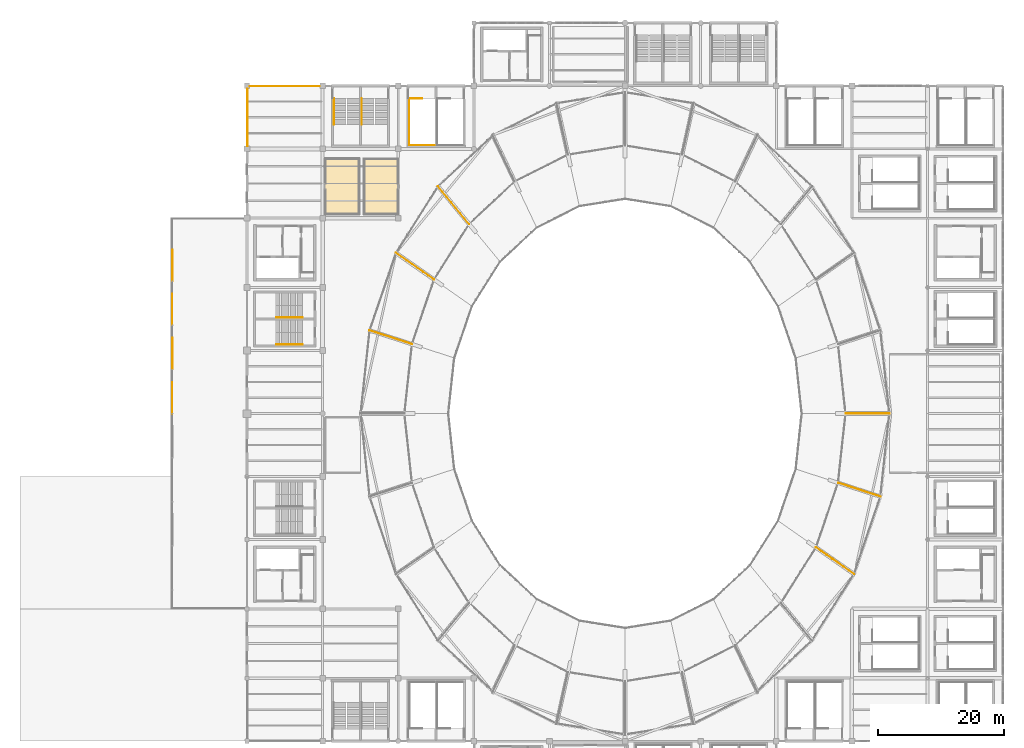
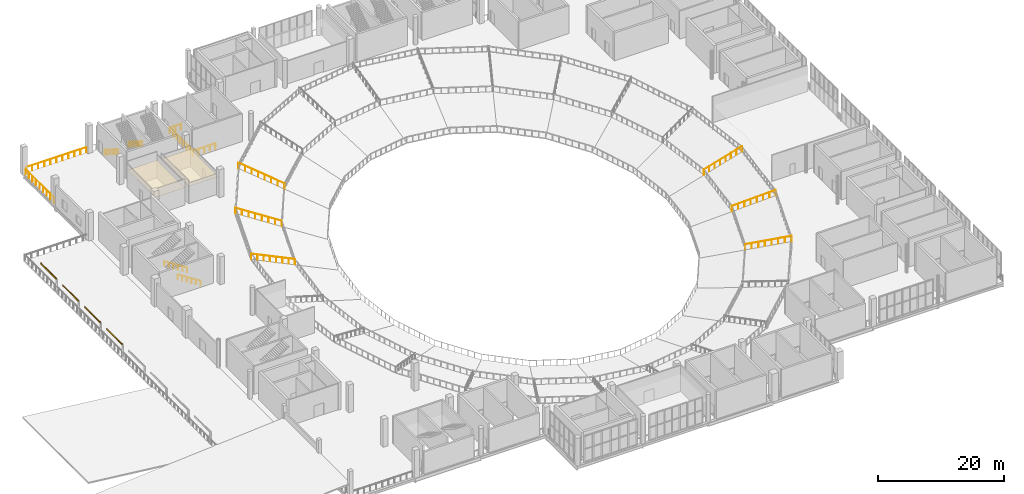
# One storey, part 68 of 74: 13 railings, 4 shading devices, 2 coverings.
"""IFC4 building model written with IfcOpenShell, lengths in metres."""

from ifc_helpers import new_model, si_unit, direction, frame, origin, origin_2d, place, context, subcontext, project, spatial, polyline, rectangle, circle, outline, extrude, material, layer, layer_set, material_profile, profile_set, type_object, element, save


model = new_model("IFC4")

# Units and contexts
model_context = context("Model", 3, precision=1e-05, world=origin(), true_north=direction((0.0, 1.0)))
body_context = subcontext(model_context, "Body", "Model", "MODEL_VIEW")
ifc_project = project(units=[si_unit("LENGTHUNIT", "METRE"), si_unit("AREAUNIT", "SQUARE_METRE"), si_unit("VOLUMEUNIT", "CUBIC_METRE"), si_unit("PLANEANGLEUNIT", "RADIAN"), si_unit("MASSUNIT", "GRAM", prefix="KILO")], contexts=[model_context])

# Site, building, storey
site_placement = place(None, origin())
site = spatial("IfcSite", under=ifc_project, at=site_placement, CompositionType="ELEMENT")
building_placement = place(site_placement, origin())
building = spatial("IfcBuilding", under=site, at=building_placement, Name="Brinegate Civic Arena", CompositionType="ELEMENT")
storey_placement = place(building_placement, frame((0.0, 0.0, 19.199951171875)))
storey = spatial("IfcBuildingStorey", under=building, at=storey_placement, Name="L04", CompositionType="ELEMENT", Elevation=19.199951171875)

# Coverings
ifc_material_1 = material(Name="Acoustic perforated aluminium ceiling", Category="aluminium")
ifc_layer_1 = layer(ifc_material_1, 0.02490234375, Name="Acoustic perforated aluminium ceiling")
ifc_layer_set_1 = layer_set([ifc_layer_1], Name="Acoustic perforated aluminium ceiling")
covering_type_1 = type_object("IfcCoveringType", Name="CEILING-ACOUSTIC-25", PredefinedType="CEILING", material=ifc_layer_set_1)
covering_1_placement = place(storey_placement, frame((0.0, 0.0, 3.324951171875)))
element("IfcCovering", 1, at=covering_1_placement, inside=storey, type_object=covering_type_1, Name="Acoustic Ceiling L04-007", PredefinedType="CEILING", context=body_context, shape_type="SweptSolid", body=[
    extrude(outline(polyline([(72.00390625, 102.419921875), (72.006103515625, 102.4189453125), (72.008056640625, 102.41796875), (72.009033203125, 102.41796875), (72.010986328125, 102.4169921875), (72.012939453125, 102.4150390625), (72.013916015625, 102.4140625), (72.014892578125, 102.4130859375), (72.01708984375, 102.410888671875), (72.01806640625, 102.408935546875), (72.01806640625, 102.407958984375), (72.01904296875, 102.406005859375), (72.02001953125, 102.404052734375), (72.02001953125, 102.402099609375), (72.02001953125, 102.39990234375), (72.02001953125, 93.60009765625), (72.02001953125, 93.597900390625), (72.02001953125, 93.595947265625), (72.01904296875, 93.593994140625), (72.01806640625, 93.592041015625), (72.01806640625, 93.591064453125), (72.01708984375, 93.589111328125), (72.014892578125, 93.5869140625), (72.013916015625, 93.5859375), (72.012939453125, 93.5849609375), (72.010986328125, 93.5830078125), (72.009033203125, 93.58203125), (72.008056640625, 93.58203125), (72.006103515625, 93.5810546875), (72.00390625, 93.580078125), (72.001953125, 93.580078125), (72.0, 93.580078125), (66.60009765625, 93.580078125), (66.597900390625, 93.580078125), (66.595947265625, 93.580078125), (66.593994140625, 93.5810546875), (66.592041015625, 93.58203125), (66.591064453125, 93.58203125), (66.589111328125, 93.5830078125), (66.5869140625, 93.5849609375), (66.5859375, 93.5859375), (66.5849609375, 93.5869140625), (66.5830078125, 93.589111328125), (66.58203125, 93.591064453125), (66.58203125, 93.592041015625), (66.5810546875, 93.593994140625), (66.580078125, 93.595947265625), (66.580078125, 93.597900390625), (66.580078125, 93.60009765625), (66.580078125, 102.39990234375), (66.580078125, 102.402099609375), (66.580078125, 102.404052734375), (66.5810546875, 102.406005859375), (66.58203125, 102.407958984375), (66.58203125, 102.408935546875), (66.5830078125, 102.410888671875), (66.5849609375, 102.4130859375), (66.5859375, 102.4140625), (66.5869140625, 102.4150390625), (66.589111328125, 102.4169921875), (66.591064453125, 102.41796875), (66.592041015625, 102.41796875), (66.593994140625, 102.4189453125), (66.595947265625, 102.419921875), (66.597900390625, 102.419921875), (66.60009765625, 102.419921875), (72.0, 102.419921875), (72.001953125, 102.419921875), (72.00390625, 102.419921875)])), origin(), (0.0, 0.0, 1.0), 0.025146484375),
])
ifc_layer_2 = layer(ifc_material_1, 0.01806640625, Name="Acoustic perforated aluminium ceiling")
ifc_layer_set_2 = layer_set([ifc_layer_2], Name="Acoustic perforated aluminium ceiling")
covering_type_2 = type_object("IfcCoveringType", Name="CEILING-MOISTURE-18", PredefinedType="CEILING", material=ifc_layer_set_2)
covering_2_placement = place(storey_placement, frame((0.0, 0.0, 3.33203125)))
element("IfcCovering", 2, at=covering_2_placement, inside=storey, type_object=covering_type_2, Name="Acoustic Ceiling L04-006", PredefinedType="CEILING", context=body_context, shape_type="SweptSolid", body=[
    extrude(outline(polyline([(65.803955078125, 102.419921875), (65.805908203125, 102.4189453125), (65.80810546875, 102.41796875), (65.80908203125, 102.41796875), (65.81103515625, 102.4169921875), (65.81298828125, 102.4150390625), (65.81396484375, 102.4140625), (65.81494140625, 102.4130859375), (65.81689453125, 102.410888671875), (65.818115234375, 102.408935546875), (65.818115234375, 102.407958984375), (65.819091796875, 102.406005859375), (65.820068359375, 102.404052734375), (65.820068359375, 102.402099609375), (65.820068359375, 102.39990234375), (65.820068359375, 93.60009765625), (65.820068359375, 93.597900390625), (65.820068359375, 93.595947265625), (65.819091796875, 93.593994140625), (65.818115234375, 93.592041015625), (65.818115234375, 93.591064453125), (65.81689453125, 93.589111328125), (65.81494140625, 93.5869140625), (65.81396484375, 93.5859375), (65.81298828125, 93.5849609375), (65.81103515625, 93.5830078125), (65.80908203125, 93.58203125), (65.80810546875, 93.58203125), (65.805908203125, 93.5810546875), (65.803955078125, 93.580078125), (65.802001953125, 93.580078125), (65.800048828125, 93.580078125), (60.39990234375, 93.580078125), (60.39794921875, 93.580078125), (60.39599609375, 93.580078125), (60.39404296875, 93.5810546875), (60.39208984375, 93.58203125), (60.39111328125, 93.58203125), (60.388916015625, 93.5830078125), (60.386962890625, 93.5849609375), (60.385986328125, 93.5859375), (60.385009765625, 93.5869140625), (60.383056640625, 93.589111328125), (60.382080078125, 93.591064453125), (60.382080078125, 93.592041015625), (60.381103515625, 93.593994140625), (60.3798828125, 93.595947265625), (60.3798828125, 93.597900390625), (60.3798828125, 93.60009765625), (60.3798828125, 102.39990234375), (60.3798828125, 102.402099609375), (60.3798828125, 102.404052734375), (60.381103515625, 102.406005859375), (60.382080078125, 102.407958984375), (60.382080078125, 102.408935546875), (60.383056640625, 102.410888671875), (60.385009765625, 102.4130859375), (60.385986328125, 102.4140625), (60.386962890625, 102.4150390625), (60.388916015625, 102.4169921875), (60.39111328125, 102.41796875), (60.39208984375, 102.41796875), (60.39404296875, 102.4189453125), (60.39599609375, 102.419921875), (60.39794921875, 102.419921875), (60.39990234375, 102.419921875), (65.800048828125, 102.419921875), (65.802001953125, 102.419921875), (65.803955078125, 102.419921875)])), origin(), (0.0, 0.0, 1.0), 0.01806640625),
])

# Railings
ifc_material_2 = material(Name="Architectural stainless steel balustrade", Category="steel")
railing_type_1 = type_object("IfcRailingType", Name="RAIL-BOWL-BARRIER-1100", PredefinedType="GUARDRAIL", material=ifc_material_2)
railing_1_placement = place(storey_placement, frame((143.0, 62.0, -2.074951171875)))
element("IfcRailing", 3, at=railing_1_placement, inside=storey, type_object=railing_type_1, Name="Upper Bowl Radial Aisle Guard RAD-01", PredefinedType="GUARDRAIL", context=body_context, shape_type="SweptSolid", body=[
    extrude(circle(Radius=0.02392578125, at=origin_2d()), frame((0.00146484375, 0.0, 1.096435546875), z_axis=(0.958765384118, 0.0, 0.284198765333), x_axis=(0.0, 1.0, 0.0)), (0.0, 0.0, 1.0), 7.298095703125),
    extrude(circle(Radius=0.02099609375, at=origin_2d()), origin(), (0.0, 0.0, 1.0), 1.070068359375),
    extrude(circle(Radius=0.02099609375, at=origin_2d()), frame((1.0, 0.0, 0.29638671875)), (0.0, 0.0, 1.0), 1.070068359375),
    extrude(circle(Radius=0.02099609375, at=origin_2d()), frame((2.0, 0.0, 0.5927734375)), (0.0, 0.0, 1.0), 1.070068359375),
    extrude(circle(Radius=0.02099609375, at=origin_2d()), frame((3.0, 0.0, 0.88916015625)), (0.0, 0.0, 1.0), 1.070068359375),
    extrude(circle(Radius=0.02099609375, at=origin_2d()), frame((4.0, 0.0, 1.185791015625)), (0.0, 0.0, 1.0), 1.070068359375),
    extrude(circle(Radius=0.02099609375, at=origin_2d()), frame((5.0, 0.0, 1.482177734375)), (0.0, 0.0, 1.0), 1.070068359375),
    extrude(circle(Radius=0.02099609375, at=origin_2d()), frame((6.0, 0.0, 1.778564453125)), (0.0, 0.0, 1.0), 1.070068359375),
    extrude(circle(Radius=0.02099609375, at=origin_2d()), frame((7.0, 0.0, 2.074951171875)), (0.0, 0.0, 1.0), 1.070068359375),
])
railing_2_placement = place(storey_placement, frame((83.2509765625, 92.052001953125, -2.074951171875)))
element("IfcRailing", 4, at=railing_2_placement, inside=storey, type_object=railing_type_1, Name="Upper Bowl Radial Aisle Guard RAD-10", PredefinedType="GUARDRAIL", context=body_context, shape_type="SweptSolid", body=[
    extrude(circle(Radius=0.02392578125, at=origin_2d()), frame((-0.0009765625, 0.001220703125, 1.096435546875), z_axis=(-0.614232363267, 0.745920679125, 0.257528531173), x_axis=(-0.771958296095, -0.635673177891, 0.0)), (0.0, 0.0, 1.0), 8.05419921875),
    extrude(circle(Radius=0.02099609375, at=origin_2d()), origin(), (0.0, 0.0, 1.0), 1.070068359375),
    extrude(circle(Radius=0.02099609375, at=origin_2d()), frame((-0.70703125, 0.858642578125, 0.29638671875)), (0.0, 0.0, 1.0), 1.070068359375),
    extrude(circle(Radius=0.02099609375, at=origin_2d()), frame((-1.4140625, 1.717041015625, 0.5927734375)), (0.0, 0.0, 1.0), 1.070068359375),
    extrude(circle(Radius=0.02099609375, at=origin_2d()), frame((-2.12109375, 2.57568359375, 0.88916015625)), (0.0, 0.0, 1.0), 1.070068359375),
    extrude(circle(Radius=0.02099609375, at=origin_2d()), frame((-2.827880859375, 3.434326171875, 1.185791015625)), (0.0, 0.0, 1.0), 1.070068359375),
    extrude(circle(Radius=0.02099609375, at=origin_2d()), frame((-3.534912109375, 4.29296875, 1.482177734375)), (0.0, 0.0, 1.0), 1.070068359375),
    extrude(circle(Radius=0.02099609375, at=origin_2d()), frame((-4.241943359375, 5.1513671875, 1.778564453125)), (0.0, 0.0, 1.0), 1.070068359375),
    extrude(circle(Radius=0.02099609375, at=origin_2d()), frame((-4.948974609375, 6.010009765625, 2.074951171875)), (0.0, 0.0, 1.0), 1.070068359375),
])
railing_3_placement = place(storey_placement, frame((77.68896484375, 83.25, -2.074951171875)))
element("IfcRailing", 5, at=railing_3_placement, inside=storey, type_object=railing_type_1, Name="Upper Bowl Radial Aisle Guard RAD-11", PredefinedType="GUARDRAIL", context=body_context, shape_type="SweptSolid", body=[
    extrude(circle(Radius=0.02392578125, at=origin_2d()), frame((-0.001220703125, 0.000732421875, 1.096435546875), z_axis=(-0.788432626392, 0.552760175603, 0.269870676267), x_axis=(-0.574059757588, -0.818813406533, 0.0)), (0.0, 0.0, 1.0), 7.685791015625),
    extrude(circle(Radius=0.02099609375, at=origin_2d()), origin(), (0.0, 0.0, 1.0), 1.070068359375),
    extrude(circle(Radius=0.02099609375, at=origin_2d()), frame((-0.865966796875, 0.607177734375, 0.29638671875)), (0.0, 0.0, 1.0), 1.070068359375),
    extrude(circle(Radius=0.02099609375, at=origin_2d()), frame((-1.73193359375, 1.21435546875, 0.5927734375)), (0.0, 0.0, 1.0), 1.070068359375),
    extrude(circle(Radius=0.02099609375, at=origin_2d()), frame((-2.597900390625, 1.821533203125, 0.88916015625)), (0.0, 0.0, 1.0), 1.070068359375),
    extrude(circle(Radius=0.02099609375, at=origin_2d()), frame((-3.464111328125, 2.428466796875, 1.185791015625)), (0.0, 0.0, 1.0), 1.070068359375),
    extrude(circle(Radius=0.02099609375, at=origin_2d()), frame((-4.330078125, 3.03564453125, 1.482177734375)), (0.0, 0.0, 1.0), 1.070068359375),
    extrude(circle(Radius=0.02099609375, at=origin_2d()), frame((-5.196044921875, 3.642822265625, 1.778564453125)), (0.0, 0.0, 1.0), 1.070068359375),
    extrude(circle(Radius=0.02099609375, at=origin_2d()), frame((-6.06201171875, 4.25, 2.074951171875)), (0.0, 0.0, 1.0), 1.070068359375),
])
railing_4_placement = place(storey_placement, frame((74.193115234375, 73.0, -2.074951171875)))
element("IfcRailing", 6, at=railing_4_placement, inside=storey, type_object=railing_type_1, Name="Upper Bowl Radial Aisle Guard RAD-12", PredefinedType="GUARDRAIL", context=body_context, shape_type="SweptSolid", body=[
    extrude(circle(Radius=0.02392578125, at=origin_2d()), frame((-0.00146484375, 0.00048828125, 1.096435546875), z_axis=(-0.912873268737, 0.296985378893, 0.280110835114), x_axis=(-0.309370189607, -0.950941683692, 0.0)), (0.0, 0.0, 1.0), 7.404541015625),
    extrude(circle(Radius=0.02099609375, at=origin_2d()), origin(), (0.0, 0.0, 1.0), 1.070068359375),
    extrude(circle(Radius=0.02099609375, at=origin_2d()), frame((-0.966064453125, 0.314208984375, 0.29638671875)), (0.0, 0.0, 1.0), 1.070068359375),
    extrude(circle(Radius=0.02099609375, at=origin_2d()), frame((-1.93212890625, 0.628662109375, 0.5927734375)), (0.0, 0.0, 1.0), 1.070068359375),
    extrude(circle(Radius=0.02099609375, at=origin_2d()), frame((-2.898193359375, 0.94287109375, 0.88916015625)), (0.0, 0.0, 1.0), 1.070068359375),
    extrude(circle(Radius=0.02099609375, at=origin_2d()), frame((-3.864013671875, 1.257080078125, 1.185791015625)), (0.0, 0.0, 1.0), 1.070068359375),
    extrude(circle(Radius=0.02099609375, at=origin_2d()), frame((-4.830078125, 1.5712890625, 1.482177734375)), (0.0, 0.0, 1.0), 1.070068359375),
    extrude(circle(Radius=0.02099609375, at=origin_2d()), frame((-5.796142578125, 1.8857421875, 1.778564453125)), (0.0, 0.0, 1.0), 1.070068359375),
    extrude(circle(Radius=0.02099609375, at=origin_2d()), frame((-6.76220703125, 2.199951171875, 2.074951171875)), (0.0, 0.0, 1.0), 1.070068359375),
])
railing_5_placement = place(storey_placement, frame((138.31103515625, 40.75, -2.074951171875)))
element("IfcRailing", 7, at=railing_5_placement, inside=storey, type_object=railing_type_1, Name="Upper Bowl Radial Aisle Guard RAD-23", PredefinedType="GUARDRAIL", context=body_context, shape_type="SweptSolid", body=[
    extrude(circle(Radius=0.02392578125, at=origin_2d()), frame((0.001220703125, -0.000732421875, 1.096435546875), z_axis=(0.788432626392, -0.552760175603, 0.269870676267), x_axis=(0.574059757588, 0.818813406533, 0.0)), (0.0, 0.0, 1.0), 7.685791015625),
    extrude(circle(Radius=0.02099609375, at=origin_2d()), origin(), (0.0, 0.0, 1.0), 1.070068359375),
    extrude(circle(Radius=0.02099609375, at=origin_2d()), frame((0.865966796875, -0.607177734375, 0.29638671875)), (0.0, 0.0, 1.0), 1.070068359375),
    extrude(circle(Radius=0.02099609375, at=origin_2d()), frame((1.73193359375, -1.21435546875, 0.5927734375)), (0.0, 0.0, 1.0), 1.070068359375),
    extrude(circle(Radius=0.02099609375, at=origin_2d()), frame((2.597900390625, -1.821533203125, 0.88916015625)), (0.0, 0.0, 1.0), 1.070068359375),
    extrude(circle(Radius=0.02099609375, at=origin_2d()), frame((3.464111328125, -2.428466796875, 1.185791015625)), (0.0, 0.0, 1.0), 1.070068359375),
    extrude(circle(Radius=0.02099609375, at=origin_2d()), frame((4.330078125, -3.03564453125, 1.482177734375)), (0.0, 0.0, 1.0), 1.070068359375),
    extrude(circle(Radius=0.02099609375, at=origin_2d()), frame((5.196044921875, -3.642822265625, 1.778564453125)), (0.0, 0.0, 1.0), 1.070068359375),
    extrude(circle(Radius=0.02099609375, at=origin_2d()), frame((6.06201171875, -4.25, 2.074951171875)), (0.0, 0.0, 1.0), 1.070068359375),
])
railing_6_placement = place(storey_placement, frame((141.806884765625, 51.0, -2.074951171875)))
element("IfcRailing", 8, at=railing_6_placement, inside=storey, type_object=railing_type_1, Name="Upper Bowl Radial Aisle Guard RAD-24", PredefinedType="GUARDRAIL", context=body_context, shape_type="SweptSolid", body=[
    extrude(circle(Radius=0.02392578125, at=origin_2d()), frame((0.00146484375, -0.00048828125, 1.096435546875), z_axis=(0.912873268737, -0.296985378893, 0.280110835114), x_axis=(0.309370189607, 0.950941683692, 0.0)), (0.0, 0.0, 1.0), 7.404541015625),
    extrude(circle(Radius=0.02099609375, at=origin_2d()), origin(), (0.0, 0.0, 1.0), 1.070068359375),
    extrude(circle(Radius=0.02099609375, at=origin_2d()), frame((0.966064453125, -0.314208984375, 0.29638671875)), (0.0, 0.0, 1.0), 1.070068359375),
    extrude(circle(Radius=0.02099609375, at=origin_2d()), frame((1.93212890625, -0.628662109375, 0.5927734375)), (0.0, 0.0, 1.0), 1.070068359375),
    extrude(circle(Radius=0.02099609375, at=origin_2d()), frame((2.898193359375, -0.94287109375, 0.88916015625)), (0.0, 0.0, 1.0), 1.070068359375),
    extrude(circle(Radius=0.02099609375, at=origin_2d()), frame((3.864013671875, -1.257080078125, 1.185791015625)), (0.0, 0.0, 1.0), 1.070068359375),
    extrude(circle(Radius=0.02099609375, at=origin_2d()), frame((4.830078125, -1.5712890625, 1.482177734375)), (0.0, 0.0, 1.0), 1.070068359375),
    extrude(circle(Radius=0.02099609375, at=origin_2d()), frame((5.796142578125, -1.8857421875, 1.778564453125)), (0.0, 0.0, 1.0), 1.070068359375),
    extrude(circle(Radius=0.02099609375, at=origin_2d()), frame((6.76220703125, -2.199951171875, 2.074951171875)), (0.0, 0.0, 1.0), 1.070068359375),
])
railing_type_2 = type_object("IfcRailingType", Name="RAIL-STAIR-GUARD-1100", PredefinedType="GUARDRAIL", material=ifc_material_2)
railing_7_placement = place(storey_placement, frame((75.77490234375, 111.97998046875, 0.0)))
element("IfcRailing", 9, at=railing_7_placement, inside=storey, type_object=railing_type_2, Name="Top Stairwell Edge Guard ST-11A L04", PredefinedType="GUARDRAIL", context=body_context, shape_type="SweptSolid", body=[
    extrude(circle(Radius=0.02392578125, at=origin_2d()), frame((-0.00146484375, 0.0, 1.09619140625), z_axis=(-1.0, 0.0, 0.0), x_axis=(0.0, -1.0, 0.0)), (0.0, 0.0, 1.0), 2.02685546875),
    extrude(circle(Radius=0.02392578125, at=origin_2d()), frame((-2.02978515625, -0.00146484375, 1.09619140625), z_axis=(0.0, -1.0, 0.0), x_axis=(1.0, 0.0, 0.0)), (0.0, 0.0, 1.0), 7.39697265625),
    extrude(circle(Radius=0.02392578125, at=origin_2d()), frame((-2.0283203125, -7.39990234375, 1.09619140625), z_axis=(1.0, 0.0, 0.0), x_axis=(0.0, 1.0, 0.0)), (0.0, 0.0, 1.0), 4.056884765625),
    extrude(circle(Radius=0.02099609375, at=origin_2d()), origin(), (0.0, 0.0, 1.0), 1.070068359375),
    extrude(circle(Radius=0.02099609375, at=origin_2d()), frame((-1.014892578125, 0.0, 0.0)), (0.0, 0.0, 1.0), 1.070068359375),
    extrude(circle(Radius=0.02099609375, at=origin_2d()), frame((-2.02978515625, 0.0, 0.0)), (0.0, 0.0, 1.0), 1.070068359375),
    extrude(circle(Radius=0.02099609375, at=origin_2d()), frame((-2.02978515625, -1.05712890625, 0.0)), (0.0, 0.0, 1.0), 1.070068359375),
    extrude(circle(Radius=0.02099609375, at=origin_2d()), frame((-2.02978515625, -2.1142578125, 0.0)), (0.0, 0.0, 1.0), 1.070068359375),
    extrude(circle(Radius=0.02099609375, at=origin_2d()), frame((-2.02978515625, -3.17138671875, 0.0)), (0.0, 0.0, 1.0), 1.070068359375),
    extrude(circle(Radius=0.02099609375, at=origin_2d()), frame((-2.02978515625, -4.228515625, 0.0)), (0.0, 0.0, 1.0), 1.070068359375),
    extrude(circle(Radius=0.02099609375, at=origin_2d()), frame((-2.02978515625, -5.28564453125, 0.0)), (0.0, 0.0, 1.0), 1.070068359375),
    extrude(circle(Radius=0.02099609375, at=origin_2d()), frame((-2.02978515625, -6.3427734375, 0.0)), (0.0, 0.0, 1.0), 1.070068359375),
    extrude(circle(Radius=0.02099609375, at=origin_2d()), frame((-2.02978515625, -7.39990234375, 0.0)), (0.0, 0.0, 1.0), 1.070068359375),
    extrude(circle(Radius=0.02099609375, at=origin_2d()), frame((-1.014892578125, -7.39990234375, 0.0)), (0.0, 0.0, 1.0), 1.070068359375),
    extrude(circle(Radius=0.02099609375, at=origin_2d()), frame((0.0, -7.39990234375, 0.0)), (0.0, 0.0, 1.0), 1.070068359375),
    extrude(circle(Radius=0.02099609375, at=origin_2d()), frame((1.01513671875, -7.39990234375, 0.0)), (0.0, 0.0, 1.0), 1.070068359375),
    extrude(circle(Radius=0.02099609375, at=origin_2d()), frame((2.030029296875, -7.39990234375, 0.0)), (0.0, 0.0, 1.0), 1.070068359375),
])
railing_type_3 = type_object("IfcRailingType", Name="RAIL-STAIR-HANDRAIL-900", PredefinedType="HANDRAIL", material=ifc_material_2)
for number, where, name in (
    (10, (61.804931640625, 107.830078125, 2.699951171875), "Stair Pitch Handrail ST-01A L04"),
    (11, (66.22509765625, 107.830078125, 2.699951171875), "Stair Pitch Handrail ST-01B L04"),
):
    element("IfcRailing", number, at=place(storey_placement, frame(where)), inside=storey, type_object=railing_type_3, Name=name, PredefinedType="HANDRAIL", context=body_context, shape_type="SweptSolid", body=[
        extrude(circle(Radius=0.02392578125, at=origin_2d()), frame((0.0, 0.001220703125, 0.875), z_axis=(0.0, 0.841180064094, -0.540755119968), x_axis=(-1.0, 0.0, 0.0)), (0.0, 0.0, 1.0), 4.989990234375),
        extrude(circle(Radius=0.02099609375, at=origin_2d()), origin(), (0.0, 0.0, 1.0), 0.849853515625),
        extrude(circle(Radius=0.02099609375, at=origin_2d()), frame((0.0, 0.840087890625, -0.5400390625)), (0.0, 0.0, 1.0), 0.849853515625),
        extrude(circle(Radius=0.02099609375, at=origin_2d()), frame((0.0, 1.679931640625, -1.080078125)), (0.0, 0.0, 1.0), 0.849853515625),
        extrude(circle(Radius=0.02099609375, at=origin_2d()), frame((0.0, 2.52001953125, -1.619873046875)), (0.0, 0.0, 1.0), 0.849853515625),
        extrude(circle(Radius=0.02099609375, at=origin_2d()), frame((0.0, 3.35986328125, -2.159912109375)), (0.0, 0.0, 1.0), 0.849853515625),
        extrude(circle(Radius=0.02099609375, at=origin_2d()), frame((0.0, 4.199951171875, -2.699951171875)), (0.0, 0.0, 1.0), 0.849853515625),
    ])
for number, where, name in (
    (12, (52.6298828125, 72.955078125, 2.699951171875), "Stair Pitch Handrail ST-07A L04"),
    (13, (52.6298828125, 77.22509765625, 2.699951171875), "Stair Pitch Handrail ST-07B L04"),
):
    element("IfcRailing", number, at=place(storey_placement, frame(where)), inside=storey, type_object=railing_type_3, Name=name, PredefinedType="HANDRAIL", context=body_context, shape_type="SweptSolid", body=[
        extrude(circle(Radius=0.02392578125, at=origin_2d()), frame((0.001220703125, 0.0, 0.875), z_axis=(0.841194361566, 0.0, -0.540732878665), x_axis=(0.0, 1.0, 0.0)), (0.0, 0.0, 1.0), 4.990234375),
        extrude(circle(Radius=0.02099609375, at=origin_2d()), origin(), (0.0, 0.0, 1.0), 0.849853515625),
        extrude(circle(Radius=0.02099609375, at=origin_2d()), frame((0.840087890625, 0.0, -0.5400390625)), (0.0, 0.0, 1.0), 0.849853515625),
        extrude(circle(Radius=0.02099609375, at=origin_2d()), frame((1.68017578125, 0.0, -1.080078125)), (0.0, 0.0, 1.0), 0.849853515625),
        extrude(circle(Radius=0.02099609375, at=origin_2d()), frame((2.52001953125, 0.0, -1.619873046875)), (0.0, 0.0, 1.0), 0.849853515625),
        extrude(circle(Radius=0.02099609375, at=origin_2d()), frame((3.360107421875, 0.0, -2.159912109375)), (0.0, 0.0, 1.0), 0.849853515625),
        extrude(circle(Radius=0.02099609375, at=origin_2d()), frame((4.2001953125, 0.0, -2.699951171875)), (0.0, 0.0, 1.0), 0.849853515625),
    ])
railing_type_4 = type_object("IfcRailingType", Name="RAIL-VOID-BALUSTRADE-1120", PredefinedType="BALUSTRADE", material=ifc_material_2)
railing_8_placement = place(storey_placement, frame((48.070068359375, 104.469970703125, 0.0)))
element("IfcRailing", 14, at=railing_8_placement, inside=storey, type_object=railing_type_4, Name="Deck Edge Balustrade L04-383", PredefinedType="BALUSTRADE", context=body_context, shape_type="SweptSolid", body=[
    extrude(circle(Radius=0.02392578125, at=origin_2d()), frame((0.0, 0.00146484375, 1.09619140625), z_axis=(0.0, 1.0, 0.0), x_axis=(-1.0, 0.0, 0.0)), (0.0, 0.0, 1.0), 9.08203125),
    extrude(circle(Radius=0.02099609375, at=origin_2d()), origin(), (0.0, 0.0, 1.0), 1.070068359375),
    extrude(circle(Radius=0.02099609375, at=origin_2d()), frame((0.0, 1.1357421875, 0.0)), (0.0, 0.0, 1.0), 1.070068359375),
    extrude(circle(Radius=0.02099609375, at=origin_2d()), frame((0.0, 2.271240234375, 0.0)), (0.0, 0.0, 1.0), 1.070068359375),
    extrude(circle(Radius=0.02099609375, at=origin_2d()), frame((0.0, 3.40673828125, 0.0)), (0.0, 0.0, 1.0), 1.070068359375),
    extrude(circle(Radius=0.02099609375, at=origin_2d()), frame((0.0, 4.54248046875, 0.0)), (0.0, 0.0, 1.0), 1.070068359375),
    extrude(circle(Radius=0.02099609375, at=origin_2d()), frame((0.0, 5.67822265625, 0.0)), (0.0, 0.0, 1.0), 1.070068359375),
    extrude(circle(Radius=0.02099609375, at=origin_2d()), frame((0.0, 6.813720703125, 0.0)), (0.0, 0.0, 1.0), 1.070068359375),
    extrude(circle(Radius=0.02099609375, at=origin_2d()), frame((0.0, 7.94921875, 0.0)), (0.0, 0.0, 1.0), 1.070068359375),
    extrude(circle(Radius=0.02099609375, at=origin_2d()), frame((0.0, 9.0849609375, 0.0)), (0.0, 0.0, 1.0), 1.070068359375),
])
railing_9_placement = place(storey_placement, frame((48.445068359375, 113.929931640625, 0.0)))
element("IfcRailing", 15, at=railing_9_placement, inside=storey, type_object=railing_type_4, Name="Deck Edge Balustrade L04-384", PredefinedType="BALUSTRADE", context=body_context, shape_type="SweptSolid", body=[
    extrude(circle(Radius=0.02392578125, at=origin_2d()), frame((0.00146484375, 0.0, 1.09619140625), z_axis=(1.0, 0.0, 0.0), x_axis=(0.0, 1.0, 0.0)), (0.0, 0.0, 1.0), 11.08203125),
    extrude(circle(Radius=0.02099609375, at=origin_2d()), origin(), (0.0, 0.0, 1.0), 1.070068359375),
    extrude(circle(Radius=0.02099609375, at=origin_2d()), frame((1.1083984375, 0.0, 0.0)), (0.0, 0.0, 1.0), 1.070068359375),
    extrude(circle(Radius=0.02099609375, at=origin_2d()), frame((2.217041015625, 0.0, 0.0)), (0.0, 0.0, 1.0), 1.070068359375),
    extrude(circle(Radius=0.02099609375, at=origin_2d()), frame((3.325439453125, 0.0, 0.0)), (0.0, 0.0, 1.0), 1.070068359375),
    extrude(circle(Radius=0.02099609375, at=origin_2d()), frame((4.43408203125, 0.0, 0.0)), (0.0, 0.0, 1.0), 1.070068359375),
    extrude(circle(Radius=0.02099609375, at=origin_2d()), frame((5.54248046875, 0.0, 0.0)), (0.0, 0.0, 1.0), 1.070068359375),
    extrude(circle(Radius=0.02099609375, at=origin_2d()), frame((6.65087890625, 0.0, 0.0)), (0.0, 0.0, 1.0), 1.070068359375),
    extrude(circle(Radius=0.02099609375, at=origin_2d()), frame((7.759521484375, 0.0, 0.0)), (0.0, 0.0, 1.0), 1.070068359375),
    extrude(circle(Radius=0.02099609375, at=origin_2d()), frame((8.867919921875, 0.0, 0.0)), (0.0, 0.0, 1.0), 1.070068359375),
    extrude(circle(Radius=0.02099609375, at=origin_2d()), frame((9.9765625, 0.0, 0.0)), (0.0, 0.0, 1.0), 1.070068359375),
    extrude(circle(Radius=0.02099609375, at=origin_2d()), frame((11.0849609375, 0.0, 0.0)), (0.0, 0.0, 1.0), 1.070068359375),
])

# Shading devices
ifc_material_3 = material(Name="Marine grade aluminium", Category="aluminium")
ifc_material_profile_1 = material_profile(ifc_material_3, rectangle(XDim=0.050048828125, YDim=0.239990234375, at=origin_2d()), Name="LVR50X240")
ifc_profile_set_1 = profile_set([ifc_material_profile_1], Name="Marine grade aluminium")
shading_device_type_1 = type_object("IfcShadingDeviceType", Name="SHADE-STORM-SHUTTER-240", PredefinedType="SHUTTER", material=ifc_profile_set_1)
for number, where, z_axis, x_axis, name in (
    (16, (36.14990234375, 62.0, 2.400146484375), (0.0, 1.0, 0.0), (-1.0, 0.0, 0.0), "Hurricane Storm Louvre SHD-LOG-005"),
    (17, (36.14990234375, 76.0, 2.400146484375), (0.0, 1.0, 0.0), (-1.0, 0.0, 0.0), "Hurricane Storm Louvre SHD-LOG-007"),
):
    element("IfcShadingDevice", number, at=place(storey_placement, frame(where, z_axis=z_axis, x_axis=x_axis)), inside=storey, type_object=shading_device_type_1, Name=name, PredefinedType="SHUTTER", context=body_context, shape_type="SweptSolid", body=[
        extrude(rectangle(XDim=0.050048828125, YDim=0.239990234375, at=origin_2d()), origin(), (0.0, 0.0, 1.0), 5.0),
    ])
ifc_material_profile_2 = material_profile(ifc_material_3, rectangle(XDim=0.06005859375, YDim=0.300048828125, at=origin_2d()), Name="LVR60X300")
ifc_profile_set_2 = profile_set([ifc_material_profile_2], Name="Marine grade aluminium")
shading_device_type_2 = type_object("IfcShadingDeviceType", Name="SHADE-STORM-SHUTTER-300", PredefinedType="SHUTTER", material=ifc_profile_set_2)
for number, where, z_axis, x_axis, name in (
    (18, (36.14990234375, 69.0, 2.400146484375), (0.0, 1.0, 0.0), (-1.0, 0.0, 0.0), "Hurricane Storm Louvre SHD-LOG-006"),
    (19, (36.14990234375, 83.0, 2.400146484375), (0.0, 1.0, 0.0), (-1.0, 0.0, 0.0), "Hurricane Storm Louvre SHD-LOG-008"),
):
    element("IfcShadingDevice", number, at=place(storey_placement, frame(where, z_axis=z_axis, x_axis=x_axis)), inside=storey, type_object=shading_device_type_2, Name=name, PredefinedType="SHUTTER", context=body_context, shape_type="SweptSolid", body=[
        extrude(rectangle(XDim=0.06005859375, YDim=0.300048828125, at=origin_2d()), origin(), (0.0, 0.0, 1.0), 5.0),
    ])

save(model, "model.ifc")
